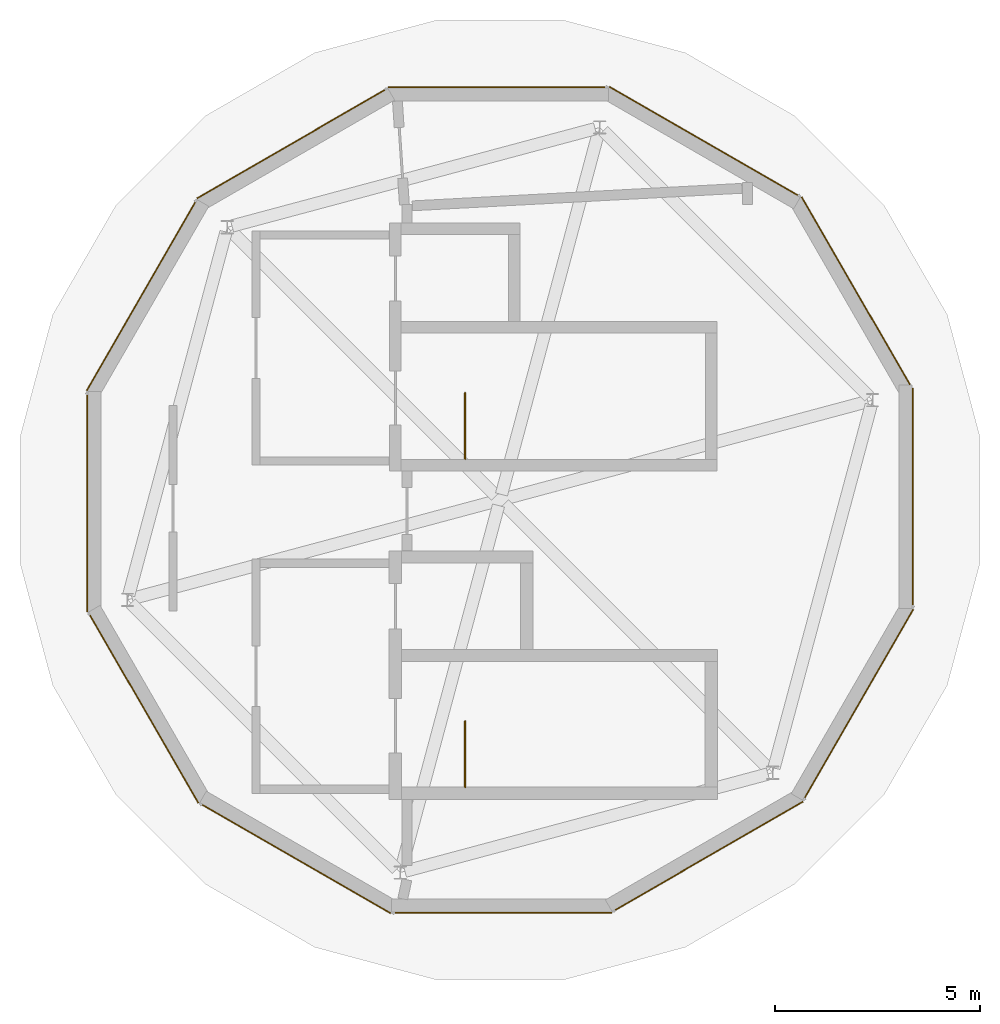
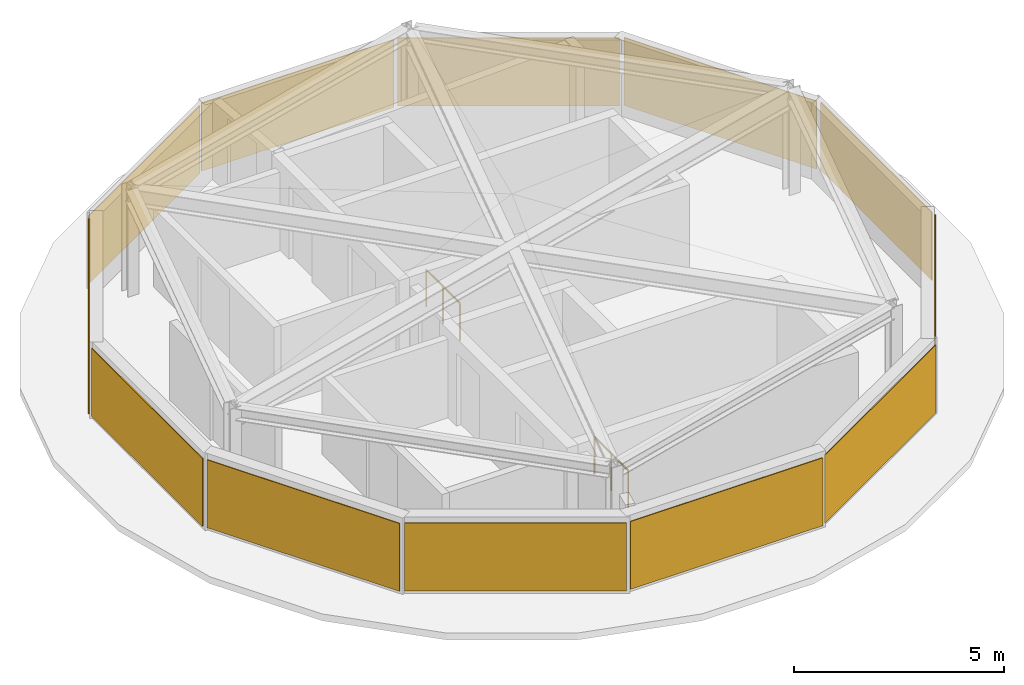
# One storey, part 3 of 3: 12 coverings, 2 railings.
"""IFC4 building model written with IfcOpenShell, lengths in metres."""

from ifc_helpers import new_model, si_unit, direction, frame, origin, origin_2d, place, context, subcontext, project, spatial, rectangle, circle, extrude, material, layer, layer_set, type_object, element, save


model = new_model("IFC4")

# Units and contexts
model_context = context("Model", 3, precision=1e-05, world=origin(), true_north=direction((0.0, 1.0)))
body_context = subcontext(model_context, "Body", "Model", "MODEL_VIEW")
ifc_project = project(units=[si_unit("LENGTHUNIT", "METRE"), si_unit("AREAUNIT", "SQUARE_METRE"), si_unit("VOLUMEUNIT", "CUBIC_METRE"), si_unit("PLANEANGLEUNIT", "RADIAN"), si_unit("MASSUNIT", "GRAM", prefix="KILO")], contexts=[model_context])

# Site, building, storey
site_placement = place(None, origin())
site = spatial("IfcSite", under=ifc_project, at=site_placement, CompositionType="ELEMENT")
building_placement = place(site_placement, origin())
building = spatial("IfcBuilding", under=site, at=building_placement, Name="Varnklinge Art Gallery", CompositionType="ELEMENT")
storey_placement = place(building_placement, frame((0.0, 0.0, 25.800048828125)))
storey = spatial("IfcBuildingStorey", under=building, at=storey_placement, Name="Roof", CompositionType="ELEMENT", Elevation=25.800048828125)

# Coverings
ifc_material_1 = material(Name="Pre-weathered Zinc", Category="metal")
ifc_layer = layer(ifc_material_1, 0.02490234375)
ifc_layer_set = layer_set([ifc_layer], Name="Pre-weathered Zinc")
covering_type = type_object("IfcCoveringType", Name="CLD-ZNC", PredefinedType="CLADDING", material=ifc_layer_set)
for number, where, z_axis, x_axis, name in (
    (1, (85.55810546875, 38.580078125, 0.08056640625), (0.0, 0.0, 1.0), (0.0, -1.0, 0.0), "Roof Brushed Zinc Drum Cladding EW-V4D-Roof-01"),
    (2, (84.25048828125, 33.540283203125, 0.08056640625), (0.0, 0.0, 1.0), (-0.5, -0.866025403784, 0.0), "Roof Brushed Zinc Drum Cladding EW-V4D-Roof-02"),
    (3, (80.598388671875, 29.829345703125, 0.08056640625), (0.0, 0.0, 1.0), (-0.866025403784, -0.5, 0.0), "Roof Brushed Zinc Drum Cladding EW-V4D-Roof-03"),
    (4, (75.580078125, 28.44189453125, 0.08056640625), (0.0, 0.0, 1.0), (-1.0, 0.0, 0.0), "Roof Brushed Zinc Drum Cladding EW-V4D-Roof-04"),
    (5, (70.540283203125, 29.74951171875, 0.08056640625), (0.0, 0.0, 1.0), (-0.866025403784, 0.5, 0.0), "Roof Brushed Zinc Drum Cladding EW-V4D-Roof-05"),
    (6, (66.829345703125, 33.401611328125, 0.08056640625), (0.0, 0.0, 1.0), (-0.5, 0.866025403784, 0.0), "Roof Brushed Zinc Drum Cladding EW-V4D-Roof-06"),
    (7, (65.44189453125, 38.419921875, 0.08056640625), (0.0, 0.0, 1.0), (0.0, 1.0, 0.0), "Roof Brushed Zinc Drum Cladding EW-V4D-Roof-07"),
    (8, (66.74951171875, 43.459716796875, 0.08056640625), (0.0, 0.0, 1.0), (0.5, 0.866025403784, 0.0), "Roof Brushed Zinc Drum Cladding EW-V4D-Roof-08"),
    (9, (70.401611328125, 47.170654296875, 0.08056640625), (0.0, 0.0, 1.0), (0.866025403784, 0.5, 0.0), "Roof Brushed Zinc Drum Cladding EW-V4D-Roof-09"),
    (10, (75.419921875, 48.55810546875, 0.08056640625), (0.0, 0.0, 1.0), (1.0, 0.0, 0.0), "Roof Brushed Zinc Drum Cladding EW-V4D-Roof-10"),
    (11, (80.459716796875, 47.25048828125, 0.08056640625), (0.0, 0.0, 1.0), (0.866025403784, -0.5, 0.0), "Roof Brushed Zinc Drum Cladding EW-V4D-Roof-11"),
    (12, (84.170654296875, 43.598388671875, 0.08056640625), (0.0, 0.0, 1.0), (0.5, -0.866025403784, 0.0), "Roof Brushed Zinc Drum Cladding EW-V4D-Roof-12"),
):
    element("IfcCovering", number, at=place(storey_placement, frame(where, z_axis=z_axis, x_axis=x_axis)), inside=storey, type_object=covering_type, Name=name, PredefinedType="CLADDING", context=body_context, shape_type="SweptSolid", body=[
        extrude(rectangle(XDim=5.277587890625, YDim=0.02490234375, at=origin_2d()), origin(), (0.0, 0.0, 1.0), 1.969970703125),
    ])

# Railings
ifc_material_2 = material(Name="Steel S355", Category="steel")
railing_type = type_object("IfcRailingType", Name="GR-INT", PredefinedType="GUARDRAIL", material=ifc_material_2)
for number, where, name in (
    (13, (74.64990234375, 31.5, 0.0), "Roof ST-01 top well guard 1"),
    (14, (74.64990234375, 39.5, 0.0), "Roof ST-02 top well guard 1"),
):
    element("IfcRailing", number, at=place(storey_placement, frame(where)), inside=storey, type_object=railing_type, Name=name, PredefinedType="GUARDRAIL", context=body_context, shape_type="SweptSolid", body=[
        extrude(circle(Radius=0.02392578125, at=origin_2d()), frame((0.0, 0.0, 1.076171875), z_axis=(0.0, 1.0, 0.0), x_axis=(-1.0, 0.0, 0.0)), (0.0, 0.0, 1.0), 1.610107421875),
        extrude(circle(Radius=0.02099609375, at=origin_2d()), origin(), (0.0, 0.0, 1.0), 1.052001953125),
        extrude(circle(Radius=0.02099609375, at=origin_2d()), frame((0.0, 0.80517578125, 0.0)), (0.0, 0.0, 1.0), 1.052001953125),
        extrude(circle(Radius=0.02099609375, at=origin_2d()), frame((0.0, 1.610107421875, 0.0)), (0.0, 0.0, 1.0), 1.052001953125),
    ])

save(model, "model.ifc")
